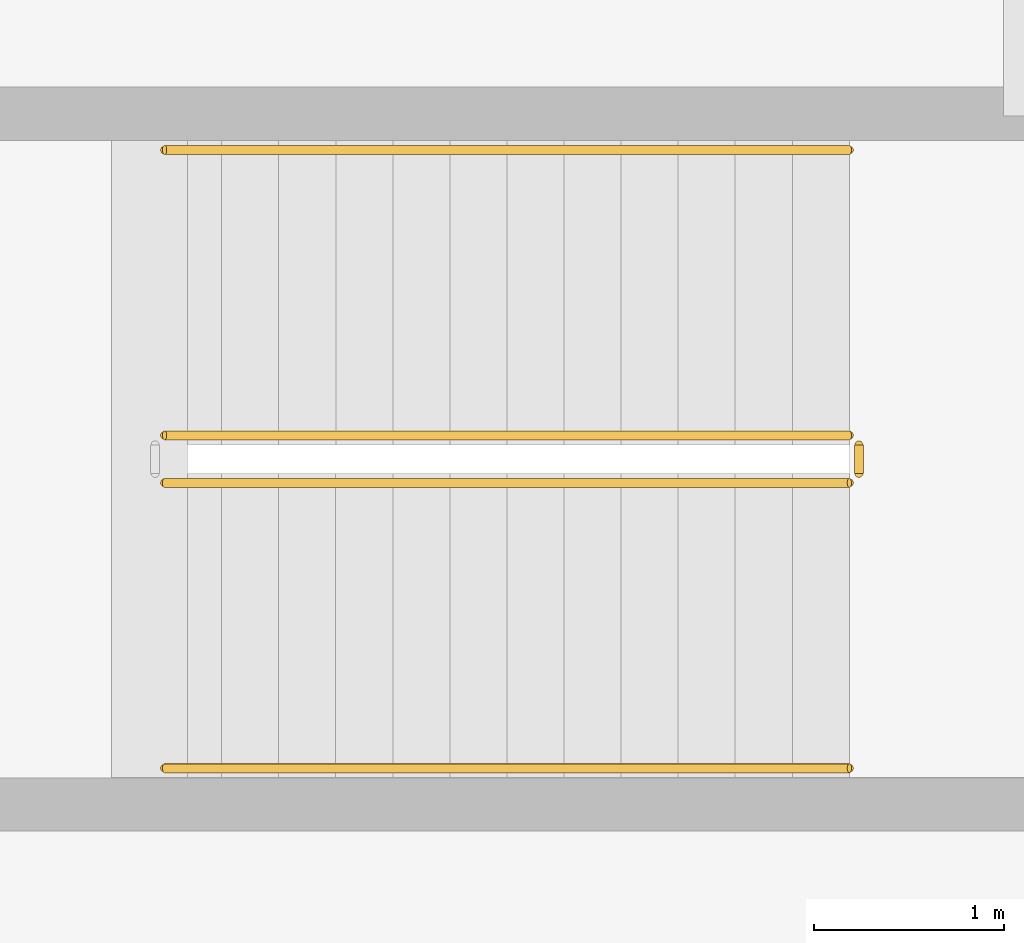
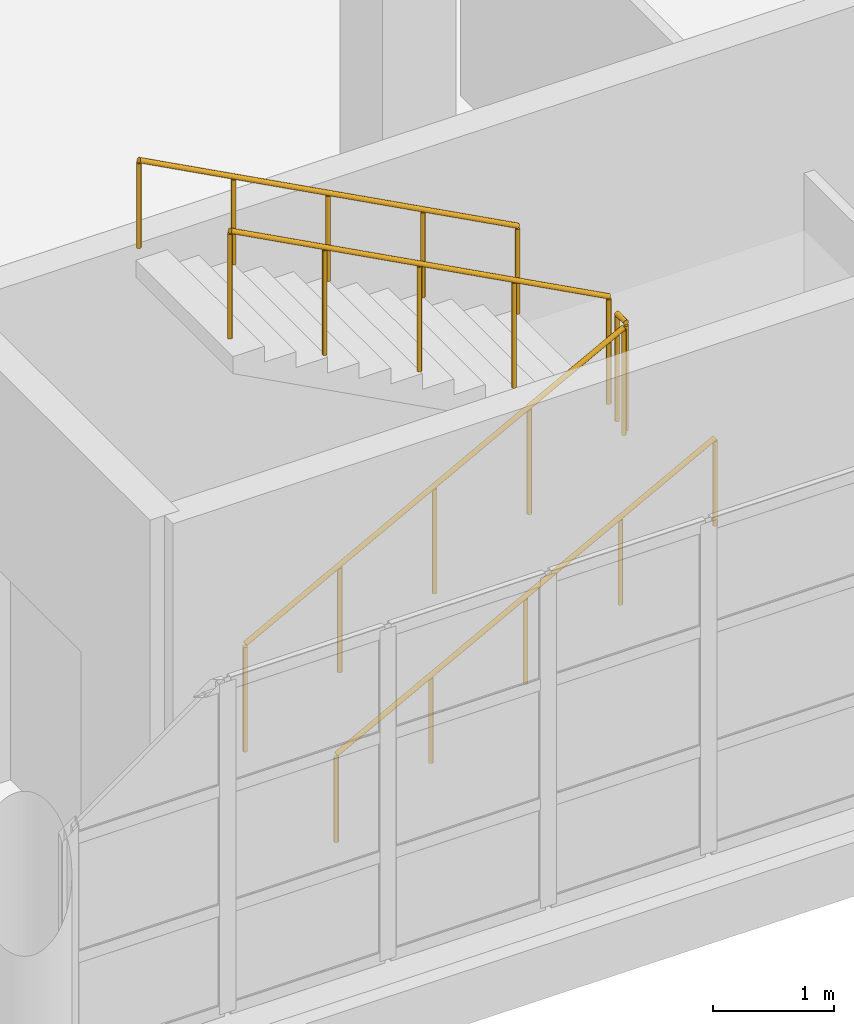
# One storey, part 171 of 177: 5 railings.
"""IFC4 building model written with IfcOpenShell, lengths in metres."""

from ifc_helpers import new_model, si_unit, direction, frame, origin, origin_2d, place, context, subcontext, project, spatial, circle, extrude, material, type_object, element, save


model = new_model("IFC4")

# Units and contexts
model_context = context("Model", 3, precision=1e-05, world=origin(), true_north=direction((0.0, 1.0)))
body_context = subcontext(model_context, "Body", "Model", "MODEL_VIEW")
ifc_project = project(units=[si_unit("LENGTHUNIT", "METRE"), si_unit("AREAUNIT", "SQUARE_METRE"), si_unit("VOLUMEUNIT", "CUBIC_METRE"), si_unit("PLANEANGLEUNIT", "RADIAN"), si_unit("MASSUNIT", "GRAM", prefix="KILO"), si_unit("THERMODYNAMICTEMPERATUREUNIT", "KELVIN"), si_unit("POWERUNIT", "WATT")], contexts=[model_context])

# Site, building, storey
site_placement = place(None, origin())
site = spatial("IfcSite", under=ifc_project, at=site_placement, CompositionType="ELEMENT")
building_placement = place(site_placement, origin())
building = spatial("IfcBuilding", under=site, at=building_placement, Name="Mavoryth Pier Ferry Terminal", CompositionType="ELEMENT")
storey_placement = place(building_placement, frame((0.0, 0.0, 5.43994140625)))
storey = spatial("IfcBuildingStorey", under=building, at=storey_placement, Name="L01", CompositionType="ELEMENT", Elevation=5.43994140625)

# Railings
ifc_material_1 = material(Name="Painted Galvanised Steel Balustrade", Category="steel")
railing_type_1 = type_object("IfcRailingType", Name="Guard-Stair-Steel1100", PredefinedType="GUARDRAIL", material=ifc_material_1)
railing_1_placement = place(storey_placement, frame((79.39990234375, 75.35009765625, 0.16015625)))
element("IfcRailing", 1, at=railing_1_placement, inside=storey, type_object=railing_type_1, Name="L01 ST05 stair guard 1", PredefinedType="GUARDRAIL", context=body_context, shape_type="SweptSolid", body=[
    extrude(circle(Radius=0.02392578125, at=origin_2d()), frame((0.0, 0.0, 1.076171875), z_axis=(0.882366192074, 0.0, 0.470563389019), x_axis=(0.0, 1.0, 0.0)), (0.0, 0.0, 1.0), 4.080078125),
    extrude(circle(Radius=0.02099609375, at=origin_2d()), origin(), (0.0, 0.0, 1.0), 1.052001953125),
    extrude(circle(Radius=0.02099609375, at=origin_2d()), frame((0.89990234375, 0.0, 0.47998046875)), (0.0, 0.0, 1.0), 1.052001953125),
    extrude(circle(Radius=0.02099609375, at=origin_2d()), frame((1.800048828125, 0.0, 0.9599609375)), (0.0, 0.0, 1.0), 1.052001953125),
    extrude(circle(Radius=0.02099609375, at=origin_2d()), frame((2.7001953125, 0.0, 1.43994140625)), (0.0, 0.0, 1.0), 1.052001953125),
    extrude(circle(Radius=0.02099609375, at=origin_2d()), frame((3.60009765625, 0.0, 1.919921875)), (0.0, 0.0, 1.0), 1.052001953125),
])
railing_2_placement = place(storey_placement, frame((83.050048828125, 75.39990234375, 2.080078125)))
element("IfcRailing", 2, at=railing_2_placement, inside=storey, type_object=railing_type_1, Name="L01 ST05 stair guard 2", PredefinedType="GUARDRAIL", context=body_context, shape_type="SweptSolid", body=[
    extrude(circle(Radius=0.02392578125, at=origin_2d()), frame((0.0, 0.0, 1.076171875), z_axis=(0.0, 1.0, 0.0), x_axis=(-1.0, 0.0, 0.0)), (0.0, 0.0, 1.0), 0.150146484375),
    extrude(circle(Radius=0.02099609375, at=origin_2d()), origin(), (0.0, 0.0, 1.0), 1.052001953125),
    extrude(circle(Radius=0.02099609375, at=origin_2d()), frame((0.0, 0.150146484375, 0.0)), (0.0, 0.0, 1.0), 1.052001953125),
])
railing_3_placement = place(storey_placement, frame((83.0, 75.60009765625, 2.239990234375)))
element("IfcRailing", 3, at=railing_3_placement, inside=storey, type_object=railing_type_1, Name="L01 ST05 stair guard 3", PredefinedType="GUARDRAIL", context=body_context, shape_type="SweptSolid", body=[
    extrude(circle(Radius=0.02392578125, at=origin_2d()), frame((0.0, 0.0, 1.076171875), z_axis=(-0.882341346394, 0.0, 0.470609974867), x_axis=(0.0, -1.0, 0.0)), (0.0, 0.0, 1.0), 4.080078125),
    extrude(circle(Radius=0.02099609375, at=origin_2d()), origin(), (0.0, 0.0, 1.0), 1.052001953125),
    extrude(circle(Radius=0.02099609375, at=origin_2d()), frame((-0.89990234375, 0.0, 0.47998046875)), (0.0, 0.0, 1.0), 1.052001953125),
    extrude(circle(Radius=0.02099609375, at=origin_2d()), frame((-1.800048828125, 0.0, 0.9599609375)), (0.0, 0.0, 1.0), 1.052001953125),
    extrude(circle(Radius=0.02099609375, at=origin_2d()), frame((-2.7001953125, 0.0, 1.440185546875)), (0.0, 0.0, 1.0), 1.052001953125),
    extrude(circle(Radius=0.02099609375, at=origin_2d()), frame((-3.60009765625, 0.0, 1.920166015625)), (0.0, 0.0, 1.0), 1.052001953125),
])
ifc_material_2 = material(Name="Brushed Stainless Steel Tubular Handrail", Category="steel")
railing_type_2 = type_object("IfcRailingType", Name="Handrail-Stair-SS900", PredefinedType="HANDRAIL", material=ifc_material_2)
railing_4_placement = place(storey_placement, frame((79.39990234375, 73.85009765625, 0.16015625)))
element("IfcRailing", 4, at=railing_4_placement, inside=storey, type_object=railing_type_2, Name="L01 ST05 stair handrail 1", PredefinedType="HANDRAIL", context=body_context, shape_type="SweptSolid", body=[
    extrude(circle(Radius=0.02392578125, at=origin_2d()), frame((0.0, 0.0, 0.8759765625), z_axis=(0.882366192074, 0.0, 0.470563389019), x_axis=(0.0, 1.0, 0.0)), (0.0, 0.0, 1.0), 4.080078125),
    extrude(circle(Radius=0.02099609375, at=origin_2d()), origin(), (0.0, 0.0, 1.0), 0.851806640625),
    extrude(circle(Radius=0.02099609375, at=origin_2d()), frame((0.89990234375, 0.0, 0.47998046875)), (0.0, 0.0, 1.0), 0.851806640625),
    extrude(circle(Radius=0.02099609375, at=origin_2d()), frame((1.800048828125, 0.0, 0.9599609375)), (0.0, 0.0, 1.0), 0.851806640625),
    extrude(circle(Radius=0.02099609375, at=origin_2d()), frame((2.7001953125, 0.0, 1.43994140625)), (0.0, 0.0, 1.0), 0.851806640625),
    extrude(circle(Radius=0.02099609375, at=origin_2d()), frame((3.60009765625, 0.0, 1.919921875)), (0.0, 0.0, 1.0), 0.851806640625),
])
railing_5_placement = place(storey_placement, frame((83.0, 77.10009765625, 2.239990234375)))
element("IfcRailing", 5, at=railing_5_placement, inside=storey, type_object=railing_type_2, Name="L01 ST05 stair handrail 2", PredefinedType="HANDRAIL", context=body_context, shape_type="SweptSolid", body=[
    extrude(circle(Radius=0.02392578125, at=origin_2d()), frame((0.0, 0.0, 0.8759765625), z_axis=(-0.882341346394, 0.0, 0.470609974867), x_axis=(0.0, -1.0, 0.0)), (0.0, 0.0, 1.0), 4.080078125),
    extrude(circle(Radius=0.02099609375, at=origin_2d()), origin(), (0.0, 0.0, 1.0), 0.851806640625),
    extrude(circle(Radius=0.02099609375, at=origin_2d()), frame((-0.89990234375, 0.0, 0.47998046875)), (0.0, 0.0, 1.0), 0.851806640625),
    extrude(circle(Radius=0.02099609375, at=origin_2d()), frame((-1.800048828125, 0.0, 0.9599609375)), (0.0, 0.0, 1.0), 0.851806640625),
    extrude(circle(Radius=0.02099609375, at=origin_2d()), frame((-2.7001953125, 0.0, 1.440185546875)), (0.0, 0.0, 1.0), 0.851806640625),
    extrude(circle(Radius=0.02099609375, at=origin_2d()), frame((-3.60009765625, 0.0, 1.920166015625)), (0.0, 0.0, 1.0), 0.851806640625),
])

save(model, "model.ifc")
